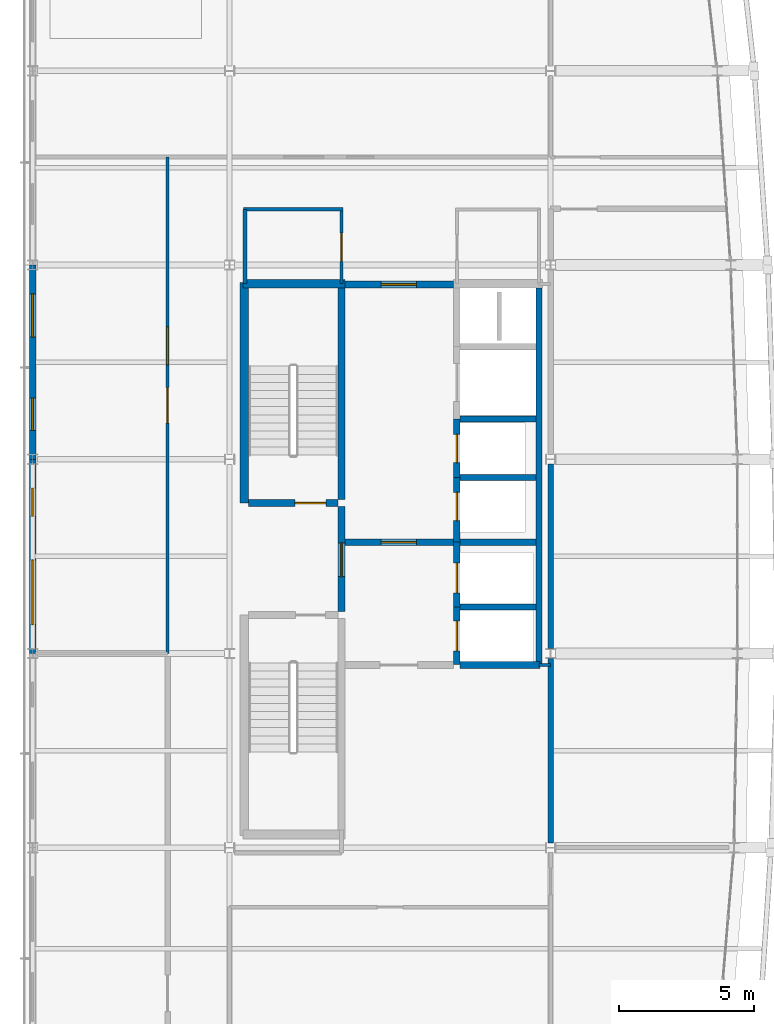
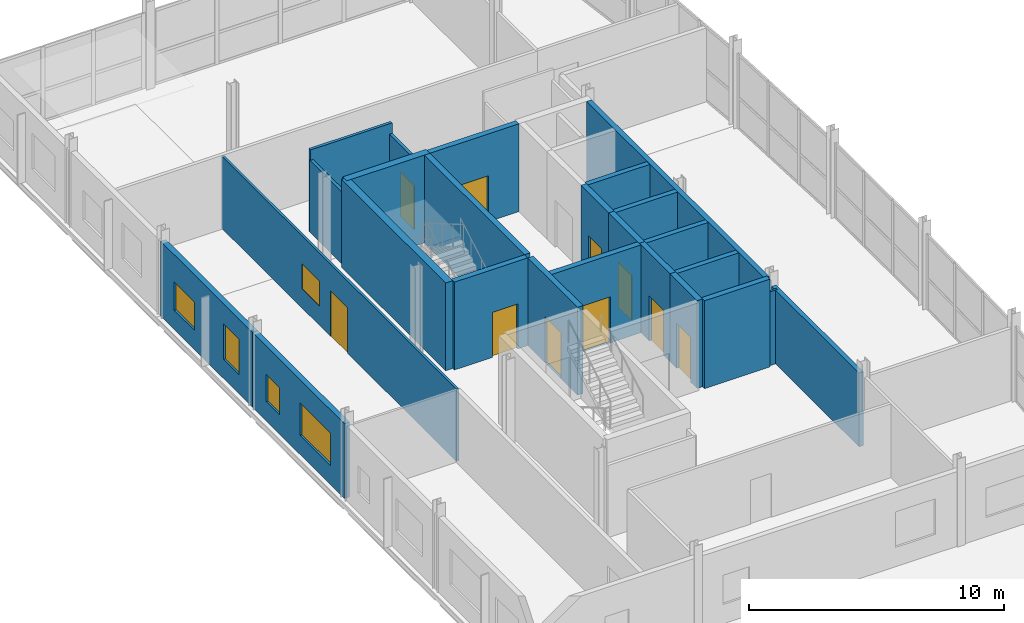
# One storey, part 15 of 19: 26 walls, 10 doors, 5 windows, 15 openings.
"""IFC4 building model written with IfcOpenShell, lengths in metres."""

from ifc_helpers import new_model, si_unit, direction, frame, frame_2d, origin, place, context, subcontext, project, spatial, rectangle, extrude, material, layer, layer_set, type_object, element, fill, save


model = new_model("IFC4")

# Units and contexts
model_context = context("Model", 3, precision=1e-05, world=origin(), true_north=direction((0.0, 1.0)))
body_context = subcontext(model_context, "Body", "Model", "MODEL_VIEW")
ifc_project = project(units=[si_unit("LENGTHUNIT", "METRE"), si_unit("AREAUNIT", "SQUARE_METRE"), si_unit("VOLUMEUNIT", "CUBIC_METRE"), si_unit("PLANEANGLEUNIT", "RADIAN"), si_unit("MASSUNIT", "GRAM", prefix="KILO")], contexts=[model_context])

# Site, building, storey
site_placement = place(None, origin())
site = spatial("IfcSite", under=ifc_project, at=site_placement, CompositionType="ELEMENT")
building_placement = place(site_placement, origin())
building = spatial("IfcBuilding", under=site, at=building_placement, Name="Quillay Park Conservatory", CompositionType="ELEMENT")
storey_placement = place(building_placement, frame((0.0, 0.0, 35.10009765625)))
storey = spatial("IfcBuildingStorey", under=building, at=storey_placement, Name="L08", CompositionType="ELEMENT", Elevation=35.10009765625)

# Wall
ifc_material_1 = material(Name="Steel-Stud Acoustic Gypsum Board Partition", Category="steel")
ifc_layer_1 = layer(ifc_material_1, 0.10009765625)
ifc_layer_set_1 = layer_set([ifc_layer_1], Name="ACOUSTIC GYPSUM PARTITION 100 (Steel-Stud Acoustic Gypsum Board Partition)")
wall_type_1 = type_object("IfcWallType", Name="ACOUSTIC GYPSUM PARTITION 100", PredefinedType="PARTITIONING", material=ifc_layer_set_1)
wall_1_placement = place(storey_placement, frame((19.320068359375, 84.77490234375, 0.0), z_axis=(0.0, 0.0, 1.0), x_axis=(1.0, 0.0, 0.0)))
element("IfcWall", 1, at=wall_1_placement, inside=storey, type_object=wall_type_1, Name="L08 Core South-East Closure", PredefinedType="PARTITIONING", context=body_context, shape_type="SweptSolid", body=[
    extrude(rectangle(XDim=0.429931640625, YDim=0.10009765625, at=frame_2d((0.21484375, 0.0))), origin(), (0.0, 0.0, 1.0), 3.52685546875),
])

# Wall, openings, window, door
ifc_material_2 = material(Name="Steel-Stud Acoustic Gypsum Board Partition", Category="steel")
ifc_layer_2 = layer(ifc_material_2, 0.10498046875)
ifc_layer_set_2 = layer_set([ifc_layer_2], Name="ACOUSTIC GYPSUM PARTITION 105 (Steel-Stud Acoustic Gypsum Board Partition)")
wall_type_2 = type_object("IfcWallType", Name="ACOUSTIC GYPSUM PARTITION 105", PredefinedType="PARTITIONING", material=ifc_layer_set_2)
wall_2_placement = place(storey_placement, frame((5.550048828125, 85.199951171875, 0.0), z_axis=(0.0, 0.0, 1.0), x_axis=(0.0, 1.0, 0.0)))
wall_2 = element("IfcWall", 2, at=wall_2_placement, inside=storey, type_object=wall_type_2, Name="L08 International Specimen Exchange Seminar Room Corridor Wall", PredefinedType="PARTITIONING", context=body_context, shape_type="SweptSolid", body=[
    extrude(rectangle(XDim=18.400146484375, YDim=0.10498046875, at=frame_2d((9.2001953125, 0.0))), origin(), (0.0, 0.0, 1.0), 3.450927734375),
])
opening_1_placement = place(wall_2_placement, frame((8.5400390625, 0.0, 0.0)))
opening_1 = element("IfcOpeningElement", 3, at=opening_1_placement, cuts=wall_2, Name="Opening D-RM36", PredefinedType="OPENING", context=body_context, shape_type="SweptSolid", body=[
    extrude(rectangle(XDim=1.320068359375, YDim=2.179931640625, at=frame_2d((0.66015625, 1.08984375))), frame((0.0, 0.052490234375, 0.0), z_axis=(0.0, -1.0, 0.0), x_axis=(1.0, 0.0, 0.0)), (0.0, 0.0, 1.0), 0.10498046875),
])
opening_2_placement = place(wall_2_placement, frame((10.7099609375, 0.0, 0.919921875)))
opening_2 = element("IfcOpeningElement", 4, at=opening_2_placement, cuts=wall_2, Name="Opening W-IN08", PredefinedType="OPENING", context=body_context, shape_type="SweptSolid", body=[
    extrude(rectangle(XDim=1.39990234375, YDim=1.199951171875, at=frame_2d((0.699951171875, 0.60009765625))), frame((0.0, 0.052490234375, 0.0), z_axis=(0.0, -1.0, 0.0), x_axis=(1.0, 0.0, 0.0)), (0.0, 0.0, 1.0), 0.10498046875),
])
ifc_material_3 = material(Name="Low-E Double Glazing (Laminated Tempered)", Category="glass")
window_type_1 = type_object("IfcWindowType", Name="OPERABLE VENT WINDOW 1400 X1200", PartitioningType="SINGLE_PANEL", PredefinedType="WINDOW", material=ifc_material_3)
window_1_placement = place(opening_2_placement, origin())
window_1 = element("IfcWindow", 5, at=window_1_placement, inside=storey, type_object=window_type_1, Name="L08 Laboratory Vision Panel 032", OverallHeight=1.199951171875, OverallWidth=1.39990234375, PartitioningType="SINGLE_PANEL", PredefinedType="WINDOW", context=body_context, shape_type="SweptSolid", body=[
    extrude(rectangle(XDim=1.39990234375, YDim=1.199951171875, at=frame_2d((0.699951171875, 0.60009765625))), frame((0.0, 0.030029296875, 0.0), z_axis=(0.0, -1.0, 0.0), x_axis=(1.0, 0.0, 0.0)), (0.0, 0.0, 1.0), 0.06005859375),
])
fill(opening_2, window_1)
ifc_material_4 = material(Name="Thermally Broken Anodised Aluminium 6063-T6", Category="aluminium")
door_type_1 = type_object("IfcDoorType", Name="SINGLE SWING DOOR 1320 X2180", OperationType="NOTDEFINED", PredefinedType="DOOR", material=ifc_material_4)
door_1_placement = place(opening_1_placement, origin())
door_1 = element("IfcDoor", 6, at=door_1_placement, inside=storey, type_object=door_type_1, Name="L08 Door to International Specimen Exchange Seminar Room", OperationType="SINGLE_SWING_RIGHT", OverallHeight=2.179931640625, OverallWidth=1.320068359375, PredefinedType="DOOR", context=body_context, shape_type="SweptSolid", body=[
    extrude(rectangle(XDim=1.320068359375, YDim=2.179931640625, at=frame_2d((0.66015625, 1.08984375))), frame((0.0, 0.02490234375, 0.0), z_axis=(0.0, -1.0, 0.0), x_axis=(1.0, 0.0, 0.0)), (0.0, 0.0, 1.0), 0.050048828125),
])
fill(opening_1, door_1)

# Wall, opening, door
ifc_material_5 = material(Name="Steel-Stud Acoustic Gypsum Board Partition", Category="steel")
ifc_layer_3 = layer(ifc_material_5, 0.125)
ifc_layer_set_3 = layer_set([ifc_layer_3], Name="ACOUSTIC GYPSUM PARTITION 125 (Steel-Stud Acoustic Gypsum Board Partition)")
wall_type_3 = type_object("IfcWallType", Name="ACOUSTIC GYPSUM PARTITION 125", PredefinedType="PARTITIONING", material=ifc_layer_set_3)
wall_3_placement = place(storey_placement, frame((12.0, 101.60009765625, 0.0), z_axis=(0.0, 0.0, 1.0), x_axis=(0.0, -1.0, 0.0)))
wall_3 = element("IfcWall", 7, at=wall_3_placement, inside=storey, type_object=wall_type_3, Name="L08 Accessible WC Door Wall", PredefinedType="PARTITIONING", context=body_context, shape_type="SweptSolid", body=[
    extrude(rectangle(XDim=2.68017578125, YDim=0.125, at=frame_2d((1.340087890625, 0.0))), origin(), (0.0, 0.0, 1.0), 3.450927734375),
])
opening_3_placement = place(wall_3_placement, frame((0.81494140625, 0.0, 0.0)))
opening_3 = element("IfcOpeningElement", 8, at=opening_3_placement, cuts=wall_3, Name="Opening D-RM05", PredefinedType="OPENING", context=body_context, shape_type="SweptSolid", body=[
    extrude(rectangle(XDim=1.050048828125, YDim=2.10009765625, at=frame_2d((0.52490234375, 1.050048828125))), frame((0.0, 0.0625, 0.0), z_axis=(0.0, -1.0, 0.0), x_axis=(1.0, 0.0, 0.0)), (0.0, 0.0, 1.0), 0.125),
])
ifc_material_6 = material(Name="Thermally Broken Anodised Aluminium 6063-T6", Category="aluminium")
door_type_2 = type_object("IfcDoorType", Name="SINGLE SWING DOOR 1050 X2100", OperationType="NOTDEFINED", PredefinedType="DOOR", material=ifc_material_6)
door_2_placement = place(opening_3_placement, origin())
door_2 = element("IfcDoor", 9, at=door_2_placement, inside=storey, type_object=door_type_2, Name="L08 Door to L08 Accessible WC", OperationType="SINGLE_SWING_LEFT", OverallHeight=2.10009765625, OverallWidth=1.050048828125, PredefinedType="DOOR", context=body_context, shape_type="SweptSolid", body=[
    extrude(rectangle(XDim=1.050048828125, YDim=2.10009765625, at=frame_2d((0.52490234375, 1.050048828125))), frame((0.0, 0.02490234375, 0.0), z_axis=(0.0, -1.0, 0.0), x_axis=(1.0, 0.0, 0.0)), (0.0, 0.0, 1.0), 0.050048828125),
])
fill(opening_3, door_2)

# Walls
ifc_material_7 = material(Name="Steel-Stud Acoustic Gypsum Board Partition", Category="steel")
ifc_layer_4 = layer(ifc_material_7, 0.1298828125)
ifc_layer_set_4 = layer_set([ifc_layer_4], Name="ACOUSTIC GYPSUM PARTITION 130 (Steel-Stud Acoustic Gypsum Board Partition)")
wall_type_4 = type_object("IfcWallType", Name="ACOUSTIC GYPSUM PARTITION 130", PredefinedType="PARTITIONING", material=ifc_layer_set_4)
wall_4_placement = place(storey_placement, frame((8.360107421875, 101.659912109375, 0.0), z_axis=(0.0, 0.0, 1.0), x_axis=(1.0, 0.0, 0.0)))
element("IfcWall", 10, at=wall_4_placement, inside=storey, type_object=wall_type_4, Name="L08 Accessible WC North Wall", PredefinedType="PARTITIONING", context=body_context, shape_type="SweptSolid", body=[
    extrude(rectangle(XDim=3.699951171875, YDim=0.1298828125, at=frame_2d((1.85009765625, 0.0))), origin(), (0.0, 0.0, 1.0), 3.949951171875),
])
ifc_material_8 = material(Name="Steel-Stud Acoustic Gypsum Board Partition", Category="steel")
ifc_layer_5 = layer(ifc_material_8, 0.139892578125)
ifc_layer_set_5 = layer_set([ifc_layer_5], Name="ACOUSTIC GYPSUM PARTITION 140 (Steel-Stud Acoustic Gypsum Board Partition)")
wall_type_5 = type_object("IfcWallType", Name="ACOUSTIC GYPSUM PARTITION 140", PredefinedType="PARTITIONING", material=ifc_layer_set_5)
wall_5_placement = place(storey_placement, frame((8.419921875, 98.919921875, 0.0), z_axis=(0.0, 0.0, 1.0), x_axis=(0.0, 1.0, 0.0)))
element("IfcWall", 11, at=wall_5_placement, inside=storey, type_object=wall_type_5, Name="L08 Accessible WC West Wall", PredefinedType="PARTITIONING", context=body_context, shape_type="SweptSolid", body=[
    extrude(rectangle(XDim=2.739990234375, YDim=0.139892578125, at=frame_2d((1.3701171875, 0.0))), origin(), (0.0, 0.0, 1.0), 3.450927734375),
])
ifc_material_9 = material(Name="Concrete C35/45 (NCh170 Concrete C35/45)", Category="concrete")
ifc_layer_6 = layer(ifc_material_9, 0.22509765625)
ifc_layer_set_6 = layer_set([ifc_layer_6], Name="CORE SHEAR WALL 225 (Concrete C35/45 (NCh170 Concrete C35/45))")
wall_type_6 = type_object("IfcWallType", Name="CORE SHEAR WALL 225", PredefinedType="SHEAR", material=ifc_layer_set_6)
wall_6_placement = place(storey_placement, frame((19.320068359375, 84.800048828125, 0.0), z_axis=(0.0, 0.0, 1.0), x_axis=(0.0, 1.0, 0.0)))
element("IfcWall", 12, at=wall_6_placement, inside=storey, type_object=wall_type_6, Name="L08 Core Shear Wall WL-LFBACK-L08", PredefinedType="SHEAR", context=body_context, shape_type="SweptSolid", body=[
    extrude(rectangle(XDim=13.949951171875, YDim=0.22509765625, at=frame_2d((6.97509765625, 0.0))), origin(), (0.0, 0.0, 1.0), 4.199951171875),
])
for number, where, z_axis, x_axis, name in (
    (13, (16.39990234375, 86.925048828125, 0.0), (0.0, 0.0, 1.0), (1.0, 0.0, 0.0), "L08 Core Shear Wall WL-LFDIV-L08-869"),
    (14, (16.39990234375, 89.324951171875, 0.0), (0.0, 0.0, 1.0), (1.0, 0.0, 0.0), "L08 Core Shear Wall WL-LFDIV-L08-893"),
    (15, (16.39990234375, 91.72509765625, 0.0), (0.0, 0.0, 1.0), (1.0, 0.0, 0.0), "L08 Core Shear Wall WL-LFDIV-L08-917"),
    (16, (16.39990234375, 93.89990234375, 0.0), (0.0, 0.0, 1.0), (1.0, 0.0, 0.0), "L08 Core Shear Wall WL-LFDIV-L08-939"),
):
    element("IfcWall", number, at=place(storey_placement, frame(where, z_axis=z_axis, x_axis=x_axis)), inside=storey, type_object=wall_type_6, Name=name, PredefinedType="SHEAR", context=body_context, shape_type="SweptSolid", body=[
        extrude(rectangle(XDim=2.800048828125, YDim=0.22509765625, at=frame_2d((1.39990234375, 0.0))), origin(), (0.0, 0.0, 1.0), 4.199951171875),
    ])
ifc_material_10 = material(Name="Concrete C40/50 (NCh170 Concrete C40/50)", Category="concrete")
ifc_layer_7 = layer(ifc_material_10, 0.25)
ifc_layer_set_7 = layer_set([ifc_layer_7], Name="CORE SHEAR WALL 250 (Concrete C40/50 (NCh170 Concrete C40/50))")
wall_type_7 = type_object("IfcWallType", Name="CORE SHEAR WALL 250", PredefinedType="SHEAR", material=ifc_layer_set_7)
wall_7_placement = place(storey_placement, frame((11.9951171875, 90.89990234375, 0.0), z_axis=(0.0, 0.0, 1.0), x_axis=(0.0, 1.0, 0.0)))
element("IfcWall", 17, at=wall_7_placement, inside=storey, type_object=wall_type_7, Name="L08 Core Shear Wall WL-T1E-L08", PredefinedType="SHEAR", context=body_context, shape_type="SweptSolid", body=[
    extrude(rectangle(XDim=7.85009765625, YDim=0.25, at=frame_2d((3.925048828125, 0.0))), origin(), (0.0, 0.0, 1.0), 4.199951171875),
])

# Wall, opening, door
wall_8_placement = place(storey_placement, frame((11.9951171875, 86.75, 0.0), z_axis=(0.0, 0.0, 1.0), x_axis=(0.0, 1.0, 0.0)))
wall_8 = element("IfcWall", 18, at=wall_8_placement, inside=storey, type_object=wall_type_7, Name="L08 Core Shear Wall WL-FFW-L08", PredefinedType="SHEAR", context=body_context, shape_type="SweptSolid", body=[
    extrude(rectangle(XDim=3.89990234375, YDim=0.25, at=frame_2d((1.949951171875, 0.0))), origin(), (0.0, 0.0, 1.0), 4.199951171875),
])
opening_4_placement = place(wall_8_placement, frame((1.300048828125, 0.0, 0.0)))
opening_4 = element("IfcOpeningElement", 19, at=opening_4_placement, cuts=wall_8, Name="Opening D-LB01", PredefinedType="OPENING", context=body_context, shape_type="SweptSolid", body=[
    extrude(rectangle(XDim=1.25, YDim=2.199951171875, at=frame_2d((0.625, 1.10009765625))), frame((0.0, 0.125, 0.0), z_axis=(0.0, -1.0, 0.0), x_axis=(1.0, 0.0, 0.0)), (0.0, 0.0, 1.0), 0.25),
])
ifc_material_11 = material(Name="Steel ASTM A572 Grade 50", Category="steel")
door_type_3 = type_object("IfcDoorType", Name="FIRE RATED LOBBY DOOR 1250 X2200", OperationType="NOTDEFINED", PredefinedType="DOOR", material=ifc_material_11)
door_3_placement = place(opening_4_placement, origin())
door_3 = element("IfcDoor", 20, at=door_3_placement, inside=storey, type_object=door_type_3, Name="L08 Firefighting Lobby Corridor Door", OperationType="SINGLE_SWING_LEFT", OverallHeight=2.199951171875, OverallWidth=1.25, PredefinedType="DOOR", context=body_context, shape_type="SweptSolid", body=[
    extrude(rectangle(XDim=1.25, YDim=2.199951171875, at=frame_2d((0.625, 1.10009765625))), frame((0.0, 0.02490234375, 0.0), z_axis=(0.0, -1.0, 0.0), x_axis=(1.0, 0.0, 0.0)), (0.0, 0.0, 1.0), 0.050048828125),
])
fill(opening_4, door_3)

wall_9_placement = place(storey_placement, frame((12.1201171875, 98.875, 0.0), z_axis=(0.0, 0.0, 1.0), x_axis=(1.0, 0.0, 0.0)))
wall_9 = element("IfcWall", 21, at=wall_9_placement, inside=storey, type_object=wall_type_7, Name="L08 Core Shear Wall WL-PAXN-L08", PredefinedType="SHEAR", context=body_context, shape_type="SweptSolid", body=[
    extrude(rectangle(XDim=4.02978515625, YDim=0.25, at=frame_2d((2.014892578125, 0.0))), origin(), (0.0, 0.0, 1.0), 4.199951171875),
])
opening_5_placement = place(wall_9_placement, frame((1.35009765625, 0.0, 0.0)))
opening_5 = element("IfcOpeningElement", 22, at=opening_5_placement, cuts=wall_9, Name="Opening D-LB02", PredefinedType="OPENING", context=body_context, shape_type="SweptSolid", body=[
    extrude(rectangle(XDim=1.300048828125, YDim=2.199951171875, at=frame_2d((0.64990234375, 1.10009765625))), frame((0.0, 0.125, 0.0), z_axis=(0.0, -1.0, 0.0), x_axis=(1.0, 0.0, 0.0)), (0.0, 0.0, 1.0), 0.25),
])
ifc_material_12 = material(Name="Steel ASTM A572 Grade 50", Category="steel")
door_type_4 = type_object("IfcDoorType", Name="FIRE RATED LOBBY DOOR 1300 X2200", OperationType="NOTDEFINED", PredefinedType="DOOR", material=ifc_material_12)
door_4_placement = place(opening_5_placement, origin())
door_4 = element("IfcDoor", 23, at=door_4_placement, inside=storey, type_object=door_type_4, Name="L08 North Lift Lobby Door", OperationType="SINGLE_SWING_RIGHT", OverallHeight=2.199951171875, OverallWidth=1.300048828125, PredefinedType="DOOR", context=body_context, shape_type="SweptSolid", body=[
    extrude(rectangle(XDim=1.300048828125, YDim=2.199951171875, at=frame_2d((0.64990234375, 1.10009765625))), frame((0.0, 0.02490234375, 0.0), z_axis=(0.0, -1.0, 0.0), x_axis=(1.0, 0.0, 0.0)), (0.0, 0.0, 1.0), 0.050048828125),
])
fill(opening_5, door_4)

wall_10_placement = place(storey_placement, frame((11.8701171875, 90.77490234375, 0.0), z_axis=(0.0, 0.0, 1.0), x_axis=(-1.0, 0.0, 0.0)))
wall_10 = element("IfcWall", 24, at=wall_10_placement, inside=storey, type_object=wall_type_7, Name="L08 Core Shear Wall WL-ST1D-L08", PredefinedType="SHEAR", context=body_context, shape_type="SweptSolid", body=[
    extrude(rectangle(XDim=3.320068359375, YDim=0.25, at=frame_2d((1.66015625, 0.0))), origin(), (0.0, 0.0, 1.0), 4.199951171875),
])
opening_6_placement = place(wall_10_placement, frame((0.449951171875, 0.0, 0.0)))
opening_6 = element("IfcOpeningElement", 25, at=opening_6_placement, cuts=wall_10, Name="Opening D-ST02", PredefinedType="OPENING", context=body_context, shape_type="SweptSolid", body=[
    extrude(rectangle(XDim=1.14990234375, YDim=2.14990234375, at=frame_2d((0.574951171875, 1.074951171875))), frame((0.0, 0.125, 0.0), z_axis=(0.0, -1.0, 0.0), x_axis=(1.0, 0.0, 0.0)), (0.0, 0.0, 1.0), 0.25),
])
ifc_material_13 = material(Name="Steel ASTM A572 Grade 50", Category="steel")
door_type_5 = type_object("IfcDoorType", Name="FIRE RATED STAIR DOOR 1150 X2150", OperationType="NOTDEFINED", PredefinedType="DOOR", material=ifc_material_13)
door_5_placement = place(opening_6_placement, origin())
door_5 = element("IfcDoor", 26, at=door_5_placement, inside=storey, type_object=door_type_5, Name="L08 Protected Stair ST-T1 Door", OperationType="SINGLE_SWING_RIGHT", OverallHeight=2.14990234375, OverallWidth=1.14990234375, PredefinedType="DOOR", context=body_context, shape_type="SweptSolid", body=[
    extrude(rectangle(XDim=1.14990234375, YDim=2.14990234375, at=frame_2d((0.574951171875, 1.074951171875))), frame((0.0, 0.02490234375, 0.0), z_axis=(0.0, -1.0, 0.0), x_axis=(1.0, 0.0, 0.0)), (0.0, 0.0, 1.0), 0.050048828125),
])
fill(opening_6, door_5)

wall_11_placement = place(storey_placement, frame((12.1201171875, 89.324951171875, 0.0), z_axis=(0.0, 0.0, 1.0), x_axis=(1.0, 0.0, 0.0)))
wall_11 = element("IfcWall", 27, at=wall_11_placement, inside=storey, type_object=wall_type_7, Name="L08 Core Shear Wall WL-FFDIV-L08", PredefinedType="SHEAR", context=body_context, shape_type="SweptSolid", body=[
    extrude(rectangle(XDim=4.02978515625, YDim=0.25, at=frame_2d((2.014892578125, 0.0))), origin(), (0.0, 0.0, 1.0), 4.199951171875),
])
opening_7_placement = place(wall_11_placement, frame((1.35009765625, 0.0, 0.0)))
opening_7 = element("IfcOpeningElement", 28, at=opening_7_placement, cuts=wall_11, Name="Opening D-LB02", PredefinedType="OPENING", context=body_context, shape_type="SweptSolid", body=[
    extrude(rectangle(XDim=1.300048828125, YDim=2.199951171875, at=frame_2d((0.64990234375, 1.10009765625))), frame((0.0, 0.125, 0.0), z_axis=(0.0, -1.0, 0.0), x_axis=(1.0, 0.0, 0.0)), (0.0, 0.0, 1.0), 0.25),
])
door_6_placement = place(opening_7_placement, origin())
door_6 = element("IfcDoor", 29, at=door_6_placement, inside=storey, type_object=door_type_4, Name="L08 Firefighting to Passenger Lobby Door", OperationType="SINGLE_SWING_LEFT", OverallHeight=2.199951171875, OverallWidth=1.300048828125, PredefinedType="DOOR", context=body_context, shape_type="SweptSolid", body=[
    extrude(rectangle(XDim=1.300048828125, YDim=2.199951171875, at=frame_2d((0.64990234375, 1.10009765625))), frame((0.0, 0.02490234375, 0.0), z_axis=(0.0, -1.0, 0.0), x_axis=(1.0, 0.0, 0.0)), (0.0, 0.0, 1.0), 0.050048828125),
])
fill(opening_7, door_6)

# Wall
wall_12_placement = place(storey_placement, frame((16.39990234375, 84.77490234375, 0.0), z_axis=(0.0, 0.0, 1.0), x_axis=(1.0, 0.0, 0.0)))
element("IfcWall", 30, at=wall_12_placement, inside=storey, type_object=wall_type_7, Name="L08 Core Shear Wall WL-LFSO-L08", PredefinedType="SHEAR", context=body_context, shape_type="SweptSolid", body=[
    extrude(rectangle(XDim=2.9501953125, YDim=0.25, at=frame_2d((1.47509765625, 0.0))), origin(), (0.0, 0.0, 1.0), 4.199951171875),
])

# Wall, opening, door
wall_13_placement = place(storey_placement, frame((16.27490234375, 84.800048828125, 0.0), z_axis=(0.0, 0.0, 1.0), x_axis=(0.0, 1.0, 0.0)))
wall_13 = element("IfcWall", 31, at=wall_13_placement, inside=storey, type_object=wall_type_7, Name="L08 Core Shear Wall WL-LFFR-L08-LF-FF1", PredefinedType="SHEAR", context=body_context, shape_type="SweptSolid", body=[
    extrude(rectangle(XDim=2.125, YDim=0.25, at=frame_2d((1.0625, 0.0))), origin(), (0.0, 0.0, 1.0), 4.199951171875),
])
opening_8_placement = place(wall_13_placement, frame((0.5, 0.0, 0.0)))
opening_8 = element("IfcOpeningElement", 32, at=opening_8_placement, cuts=wall_13, Name="Opening LD01", PredefinedType="OPENING", context=body_context, shape_type="SweptSolid", body=[
    extrude(rectangle(XDim=1.10009765625, YDim=2.14990234375, at=frame_2d((0.550048828125, 1.074951171875))), frame((0.0, 0.125, 0.0), z_axis=(0.0, -1.0, 0.0), x_axis=(1.0, 0.0, 0.0)), (0.0, 0.0, 1.0), 0.25),
])
ifc_material_14 = material(Name="Steel ASTM A572 Grade 50", Category="steel")
door_type_6 = type_object("IfcDoorType", Name="LIFT LANDING SLIDING DOOR 1100 X2150", OperationType="NOTDEFINED", PredefinedType="DOOR", material=ifc_material_14)
door_7_placement = place(opening_8_placement, origin())
door_7 = element("IfcDoor", 33, at=door_7_placement, inside=storey, type_object=door_type_6, Name="L08 LF-FF1 Lift Landing Door LD01", OperationType="SLIDING_TO_LEFT", OverallHeight=2.14990234375, OverallWidth=1.10009765625, PredefinedType="DOOR", context=body_context, shape_type="SweptSolid", body=[
    extrude(rectangle(XDim=1.10009765625, YDim=2.14990234375, at=frame_2d((0.550048828125, 1.074951171875))), frame((0.0, 0.02490234375, 0.0), z_axis=(0.0, -1.0, 0.0), x_axis=(1.0, 0.0, 0.0)), (0.0, 0.0, 1.0), 0.050048828125),
])
fill(opening_8, door_7)

wall_14_placement = place(storey_placement, frame((16.27490234375, 86.925048828125, 0.0), z_axis=(0.0, 0.0, 1.0), x_axis=(0.0, 1.0, 0.0)))
wall_14 = element("IfcWall", 34, at=wall_14_placement, inside=storey, type_object=wall_type_7, Name="L08 Core Shear Wall WL-LFFR-L08-LF-FF2", PredefinedType="SHEAR", context=body_context, shape_type="SweptSolid", body=[
    extrude(rectangle(XDim=2.39990234375, YDim=0.25, at=frame_2d((1.199951171875, 0.0))), origin(), (0.0, 0.0, 1.0), 4.199951171875),
])
opening_9_placement = place(wall_14_placement, frame((0.52490234375, 0.0, 0.0)))
opening_9 = element("IfcOpeningElement", 35, at=opening_9_placement, cuts=wall_14, Name="Opening LD01", PredefinedType="OPENING", context=body_context, shape_type="SweptSolid", body=[
    extrude(rectangle(XDim=1.10009765625, YDim=2.14990234375, at=frame_2d((0.550048828125, 1.074951171875))), frame((0.0, 0.125, 0.0), z_axis=(0.0, -1.0, 0.0), x_axis=(1.0, 0.0, 0.0)), (0.0, 0.0, 1.0), 0.25),
])
door_8_placement = place(opening_9_placement, origin())
door_8 = element("IfcDoor", 36, at=door_8_placement, inside=storey, type_object=door_type_6, Name="L08 LF-FF2 Lift Landing Door LD01", OperationType="SLIDING_TO_LEFT", OverallHeight=2.14990234375, OverallWidth=1.10009765625, PredefinedType="DOOR", context=body_context, shape_type="SweptSolid", body=[
    extrude(rectangle(XDim=1.10009765625, YDim=2.14990234375, at=frame_2d((0.550048828125, 1.074951171875))), frame((0.0, 0.02490234375, 0.0), z_axis=(0.0, -1.0, 0.0), x_axis=(1.0, 0.0, 0.0)), (0.0, 0.0, 1.0), 0.050048828125),
])
fill(opening_9, door_8)

wall_15_placement = place(storey_placement, frame((16.27490234375, 89.324951171875, 0.0), z_axis=(0.0, 0.0, 1.0), x_axis=(0.0, 1.0, 0.0)))
wall_15 = element("IfcWall", 37, at=wall_15_placement, inside=storey, type_object=wall_type_7, Name="L08 Core Shear Wall WL-LFFR-L08-LF-P1", PredefinedType="SHEAR", context=body_context, shape_type="SweptSolid", body=[
    extrude(rectangle(XDim=2.400146484375, YDim=0.25, at=frame_2d((1.2001953125, 0.0))), origin(), (0.0, 0.0, 1.0), 4.199951171875),
])
opening_10_placement = place(wall_15_placement, frame((0.800048828125, 0.0, 0.0)))
opening_10 = element("IfcOpeningElement", 38, at=opening_10_placement, cuts=wall_15, Name="Opening LD02", PredefinedType="OPENING", context=body_context, shape_type="SweptSolid", body=[
    extrude(rectangle(XDim=1.050048828125, YDim=2.14990234375, at=frame_2d((0.52490234375, 1.074951171875))), frame((0.0, 0.125, 0.0), z_axis=(0.0, -1.0, 0.0), x_axis=(1.0, 0.0, 0.0)), (0.0, 0.0, 1.0), 0.25),
])
ifc_material_15 = material(Name="Steel ASTM A572 Grade 50", Category="steel")
door_type_7 = type_object("IfcDoorType", Name="LIFT LANDING SLIDING DOOR 1050 X2150", OperationType="NOTDEFINED", PredefinedType="DOOR", material=ifc_material_15)
door_9_placement = place(opening_10_placement, origin())
door_9 = element("IfcDoor", 39, at=door_9_placement, inside=storey, type_object=door_type_7, Name="L08 LF-P1 Lift Landing Door LD02", OperationType="SLIDING_TO_LEFT", OverallHeight=2.14990234375, OverallWidth=1.050048828125, PredefinedType="DOOR", context=body_context, shape_type="SweptSolid", body=[
    extrude(rectangle(XDim=1.050048828125, YDim=2.14990234375, at=frame_2d((0.52490234375, 1.074951171875))), frame((0.0, 0.02490234375, 0.0), z_axis=(0.0, -1.0, 0.0), x_axis=(1.0, 0.0, 0.0)), (0.0, 0.0, 1.0), 0.050048828125),
])
fill(opening_10, door_9)

wall_16_placement = place(storey_placement, frame((16.27490234375, 91.72509765625, 0.0), z_axis=(0.0, 0.0, 1.0), x_axis=(0.0, 1.0, 0.0)))
wall_16 = element("IfcWall", 40, at=wall_16_placement, inside=storey, type_object=wall_type_7, Name="L08 Core Shear Wall WL-LFFR-L08-LF-P2", PredefinedType="SHEAR", context=body_context, shape_type="SweptSolid", body=[
    extrude(rectangle(XDim=2.1748046875, YDim=0.25, at=frame_2d((1.08740234375, 0.0))), origin(), (0.0, 0.0, 1.0), 4.199951171875),
])
opening_11_placement = place(wall_16_placement, frame((0.550048828125, 0.0, 0.0)))
opening_11 = element("IfcOpeningElement", 41, at=opening_11_placement, cuts=wall_16, Name="Opening LD02", PredefinedType="OPENING", context=body_context, shape_type="SweptSolid", body=[
    extrude(rectangle(XDim=1.050048828125, YDim=2.14990234375, at=frame_2d((0.52490234375, 1.074951171875))), frame((0.0, 0.125, 0.0), z_axis=(0.0, -1.0, 0.0), x_axis=(1.0, 0.0, 0.0)), (0.0, 0.0, 1.0), 0.25),
])
door_10_placement = place(opening_11_placement, origin())
door_10 = element("IfcDoor", 42, at=door_10_placement, inside=storey, type_object=door_type_7, Name="L08 LF-P2 Lift Landing Door LD02", OperationType="SLIDING_TO_LEFT", OverallHeight=2.14990234375, OverallWidth=1.050048828125, PredefinedType="DOOR", context=body_context, shape_type="SweptSolid", body=[
    extrude(rectangle(XDim=1.050048828125, YDim=2.14990234375, at=frame_2d((0.52490234375, 1.074951171875))), frame((0.0, 0.02490234375, 0.0), z_axis=(0.0, -1.0, 0.0), x_axis=(1.0, 0.0, 0.0)), (0.0, 0.0, 1.0), 0.050048828125),
])
fill(opening_11, door_10)

# Walls
ifc_material_16 = material(Name="Concrete C40/50 (NCh170 Concrete C40/50)", Category="concrete")
ifc_layer_8 = layer(ifc_material_16, 0.320068359375)
ifc_layer_set_8 = layer_set([ifc_layer_8], Name="CORE SHEAR WALL 320 (Concrete C40/50 (NCh170 Concrete C40/50))")
wall_type_8 = type_object("IfcWallType", Name="CORE SHEAR WALL 320", PredefinedType="SHEAR", material=ifc_layer_set_8)
wall_17_placement = place(storey_placement, frame((8.389892578125, 90.77490234375, 0.0), z_axis=(0.0, 0.0, 1.0), x_axis=(0.0, 1.0, 0.0)))
element("IfcWall", 43, at=wall_17_placement, inside=storey, type_object=wall_type_8, Name="L08 Core Shear Wall WL-TCW-N-L08", PredefinedType="SHEAR", context=body_context, shape_type="SweptSolid", body=[
    extrude(rectangle(XDim=8.175048828125, YDim=0.320068359375, at=frame_2d((4.08740234375, 0.0))), origin(), (0.0, 0.0, 1.0), 4.199951171875),
])
wall_18_placement = place(storey_placement, frame((8.35009765625, 98.909912109375, 0.0), z_axis=(0.0, 0.0, 1.0), x_axis=(1.0, 0.0, 0.0)))
element("IfcWall", 44, at=wall_18_placement, inside=storey, type_object=wall_type_8, Name="L08 Core Shear Wall WL-TCN-W-L08", PredefinedType="SHEAR", context=body_context, shape_type="SweptSolid", body=[
    extrude(rectangle(XDim=3.77001953125, YDim=0.320068359375, at=frame_2d((1.885009765625, 0.0))), origin(), (0.0, 0.0, 1.0), 4.199951171875),
])

# Wall, openings, windows
ifc_material_17 = material(Name="Glass-Fibre Reinforced Concrete (GRC) Cladding", Category="concrete")
ifc_layer_9 = layer(ifc_material_17, 0.239990234375)
ifc_layer_set_9 = layer_set([ifc_layer_9], Name="EXTERIOR SOLID WALL 240 (Glass-Fibre Reinforced Concrete (GRC) Cladding)")
wall_type_9 = type_object("IfcWallType", Name="EXTERIOR SOLID WALL 240", PredefinedType="SOLIDWALL", material=ifc_layer_set_9)
wall_19_placement = place(storey_placement, frame((0.550048828125, 85.199951171875, 0.0), z_axis=(0.0, 0.0, 1.0), x_axis=(0.0, 1.0, 0.0)))
wall_19 = element("IfcWall", 45, at=wall_19_placement, inside=storey, type_object=wall_type_9, Name="L08 External Wall WL-EXT-V4W-L08-2", PredefinedType="SOLIDWALL", context=body_context, shape_type="SweptSolid", body=[
    extrude(rectangle(XDim=7.199951171875, YDim=0.239990234375, at=frame_2d((3.60009765625, 0.0))), origin(), (0.0, 0.0, 1.0), 3.576904296875),
])
opening_12_placement = place(wall_19_placement, frame((1.070068359375, 0.0, 0.919921875)))
opening_12 = element("IfcOpeningElement", 46, at=opening_12_placement, cuts=wall_19, Name="Opening W-11", PredefinedType="OPENING", context=body_context, shape_type="SweptSolid", body=[
    extrude(rectangle(XDim=2.39990234375, YDim=1.550048828125, at=frame_2d((1.199951171875, 0.77490234375))), frame((0.0, 0.1201171875, 0.0), z_axis=(0.0, -1.0, 0.0), x_axis=(1.0, 0.0, 0.0)), (0.0, 0.0, 1.0), 0.239990234375),
])
opening_13_placement = place(wall_19_placement, frame((5.080078125, 0.0, 0.919921875)))
opening_13 = element("IfcOpeningElement", 47, at=opening_13_placement, cuts=wall_19, Name="Opening W-18", PredefinedType="OPENING", context=body_context, shape_type="SweptSolid", body=[
    extrude(rectangle(XDim=1.050048828125, YDim=1.300048828125, at=frame_2d((0.52490234375, 0.64990234375))), frame((0.0, 0.1201171875, 0.0), z_axis=(0.0, -1.0, 0.0), x_axis=(1.0, 0.0, 0.0)), (0.0, 0.0, 1.0), 0.239990234375),
])
ifc_material_18 = material(Name="Low-E Double Glazing (Laminated Tempered)", Category="glass")
window_type_2 = type_object("IfcWindowType", Name="FIXED CASEMENT WINDOW 1050 X1300", PartitioningType="SINGLE_PANEL", PredefinedType="WINDOW", material=ifc_material_18)
window_2_placement = place(opening_13_placement, origin())
window_2 = element("IfcWindow", 48, at=window_2_placement, inside=storey, type_object=window_type_2, Name="L08 Exterior Window 0208", OverallHeight=1.300048828125, OverallWidth=1.050048828125, PartitioningType="SINGLE_PANEL", PredefinedType="WINDOW", context=body_context, shape_type="SweptSolid", body=[
    extrude(rectangle(XDim=1.050048828125, YDim=1.300048828125, at=frame_2d((0.52490234375, 0.64990234375))), frame((0.0, 0.030029296875, 0.0), z_axis=(0.0, -1.0, 0.0), x_axis=(1.0, 0.0, 0.0)), (0.0, 0.0, 1.0), 0.06005859375),
])
fill(opening_13, window_2)
ifc_material_19 = material(Name="Low-E Double Glazing (Laminated Tempered)", Category="glass")
window_type_3 = type_object("IfcWindowType", Name="FIXED CASEMENT WINDOW 2400 X1550", PartitioningType="DOUBLE_PANEL_VERTICAL", PredefinedType="WINDOW", material=ifc_material_19)
window_3_placement = place(opening_12_placement, origin())
window_3 = element("IfcWindow", 49, at=window_3_placement, inside=storey, type_object=window_type_3, Name="L08 Exterior Window 0207", OverallHeight=1.550048828125, OverallWidth=2.39990234375, PartitioningType="DOUBLE_PANEL_VERTICAL", PredefinedType="WINDOW", context=body_context, shape_type="SweptSolid", body=[
    extrude(rectangle(XDim=2.39990234375, YDim=1.550048828125, at=frame_2d((1.199951171875, 0.77490234375))), frame((0.0, 0.030029296875, 0.0), z_axis=(0.0, -1.0, 0.0), x_axis=(1.0, 0.0, 0.0)), (0.0, 0.0, 1.0), 0.06005859375),
])
fill(opening_12, window_3)

wall_20_placement = place(storey_placement, frame((0.550048828125, 92.39990234375, 0.0), z_axis=(0.0, 0.0, 1.0), x_axis=(0.0, 1.0, 0.0)))
wall_20 = element("IfcWall", 50, at=wall_20_placement, inside=storey, type_object=wall_type_9, Name="L08 External Wall WL-EXT-V4W-L08-3", PredefinedType="SOLIDWALL", context=body_context, shape_type="SweptSolid", body=[
    extrude(rectangle(XDim=7.2001953125, YDim=0.239990234375, at=frame_2d((3.60009765625, 0.0))), origin(), (0.0, 0.0, 1.0), 3.576904296875),
])
opening_14_placement = place(wall_20_placement, frame((1.070068359375, 0.0, 0.919921875)))
opening_14 = element("IfcOpeningElement", 51, at=opening_14_placement, cuts=wall_20, Name="Opening W-12", PredefinedType="OPENING", context=body_context, shape_type="SweptSolid", body=[
    extrude(rectangle(XDim=1.199951171875, YDim=1.699951171875, at=frame_2d((0.60009765625, 0.85009765625))), frame((0.0, 0.1201171875, 0.0), z_axis=(0.0, -1.0, 0.0), x_axis=(1.0, 0.0, 0.0)), (0.0, 0.0, 1.0), 0.239990234375),
])
opening_15_placement = place(wall_20_placement, frame((4.530029296875, 0.0, 0.919921875)))
opening_15 = element("IfcOpeningElement", 52, at=opening_15_placement, cuts=wall_20, Name="Opening W-19", PredefinedType="OPENING", context=body_context, shape_type="SweptSolid", body=[
    extrude(rectangle(XDim=1.60009765625, YDim=1.35009765625, at=frame_2d((0.800048828125, 0.675048828125))), frame((0.0, 0.1201171875, 0.0), z_axis=(0.0, -1.0, 0.0), x_axis=(1.0, 0.0, 0.0)), (0.0, 0.0, 1.0), 0.239990234375),
])
ifc_material_20 = material(Name="Low-E Double Glazing (Laminated Tempered)", Category="glass")
window_type_4 = type_object("IfcWindowType", Name="FIXED CASEMENT WINDOW 1200 X1700", PartitioningType="SINGLE_PANEL", PredefinedType="WINDOW", material=ifc_material_20)
window_4_placement = place(opening_14_placement, origin())
window_4 = element("IfcWindow", 53, at=window_4_placement, inside=storey, type_object=window_type_4, Name="L08 Exterior Window 0209", OverallHeight=1.699951171875, OverallWidth=1.199951171875, PartitioningType="SINGLE_PANEL", PredefinedType="WINDOW", context=body_context, shape_type="SweptSolid", body=[
    extrude(rectangle(XDim=1.199951171875, YDim=1.699951171875, at=frame_2d((0.60009765625, 0.85009765625))), frame((0.0, 0.030029296875, 0.0), z_axis=(0.0, -1.0, 0.0), x_axis=(1.0, 0.0, 0.0)), (0.0, 0.0, 1.0), 0.06005859375),
])
fill(opening_14, window_4)
ifc_material_21 = material(Name="Low-E Double Glazing (Laminated Tempered)", Category="glass")
window_type_5 = type_object("IfcWindowType", Name="FIXED CASEMENT WINDOW 1600 X1350", PartitioningType="DOUBLE_PANEL_VERTICAL", PredefinedType="WINDOW", material=ifc_material_21)
window_5_placement = place(opening_15_placement, origin())
window_5 = element("IfcWindow", 54, at=window_5_placement, inside=storey, type_object=window_type_5, Name="L08 Exterior Window 0210", OverallHeight=1.35009765625, OverallWidth=1.60009765625, PartitioningType="DOUBLE_PANEL_VERTICAL", PredefinedType="WINDOW", context=body_context, shape_type="SweptSolid", body=[
    extrude(rectangle(XDim=1.60009765625, YDim=1.35009765625, at=frame_2d((0.800048828125, 0.675048828125))), frame((0.0, 0.030029296875, 0.0), z_axis=(0.0, -1.0, 0.0), x_axis=(1.0, 0.0, 0.0)), (0.0, 0.0, 1.0), 0.06005859375),
])
fill(opening_15, window_5)

# Walls
ifc_material_22 = material(Name="Concrete C35/45 (NCh170 Concrete C35/45)", Category="concrete")
ifc_layer_10 = layer(ifc_material_22, 0.199951171875)
ifc_layer_set_10 = layer_set([ifc_layer_10], Name="SOLID VAULT WALL 200 (Concrete C35/45 (NCh170 Concrete C35/45))")
wall_type_10 = type_object("IfcWallType", Name="SOLID VAULT WALL 200", PredefinedType="SOLIDWALL", material=ifc_layer_set_10)
for number, where, z_axis, x_axis, name in (
    (55, (19.75, 78.180419921875, 0.0), (0.0, 0.0, 1.0), (0.0, 1.0, 0.0), "L08 Optical Imaging and Photogrammetry Studio West Wall 1"),
    (56, (19.75, 85.376953125, 0.0), (0.0, 0.0, 1.0), (0.0, 1.0, 0.0), "L08 Optical Imaging and Photogrammetry Studio West Wall 2"),
):
    element("IfcWall", number, at=place(storey_placement, frame(where, z_axis=z_axis, x_axis=x_axis)), inside=storey, type_object=wall_type_10, Name=name, PredefinedType="SOLIDWALL", context=body_context, shape_type="SweptSolid", body=[
        extrude(rectangle(XDim=6.842529296875, YDim=0.199951171875, at=frame_2d((3.42138671875, 0.0))), origin(), (0.0, 0.0, 1.0), 3.52685546875),
    ])

save(model, "model.ifc")
